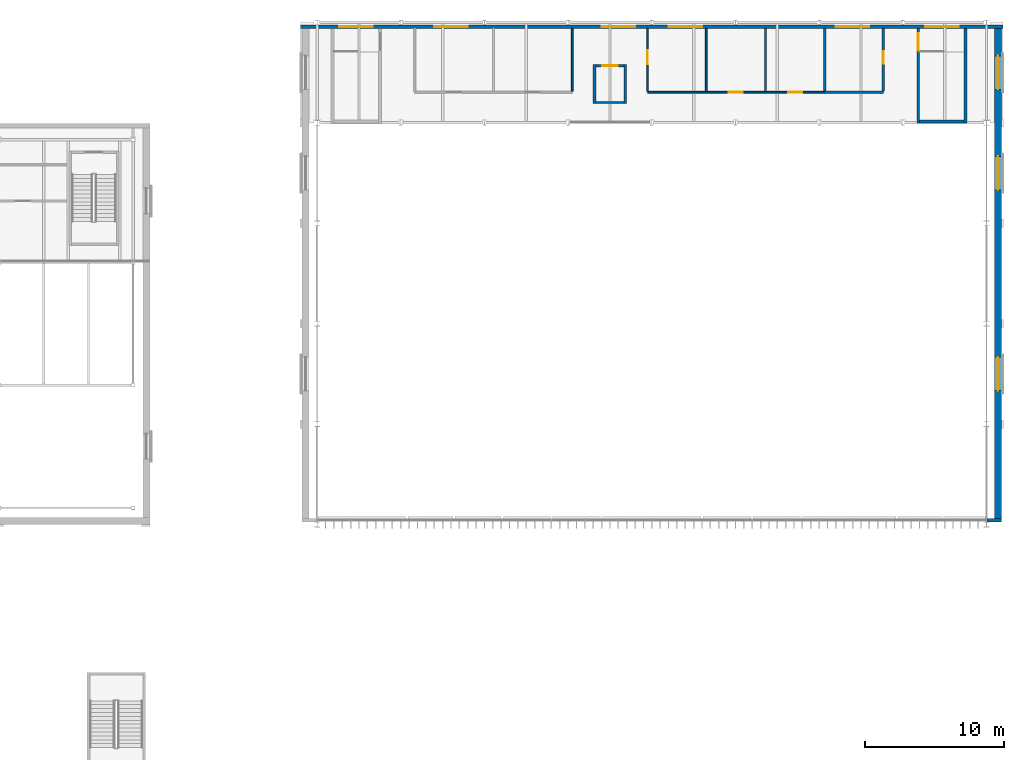
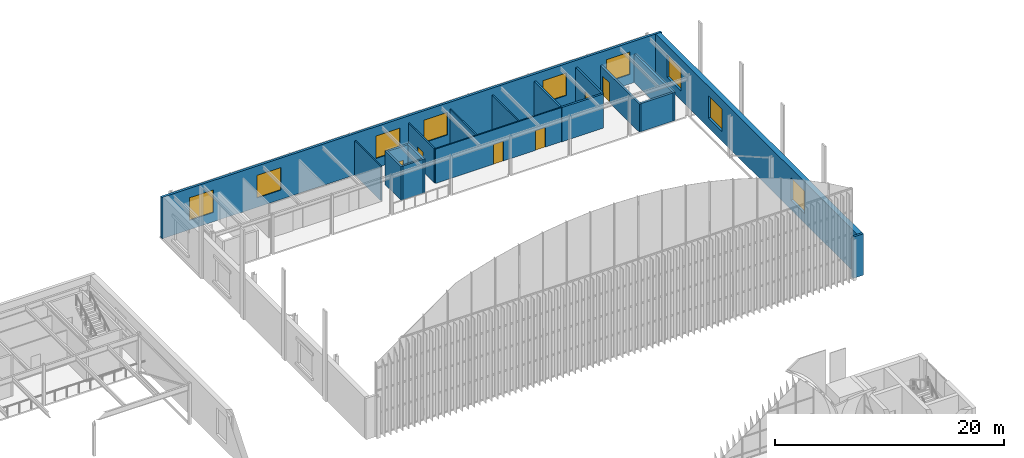
# One storey, part 104 of 169: 18 walls, 9 windows, 6 doors, 15 openings.
"""IFC4 building model written with IfcOpenShell, lengths in metres."""

from ifc_helpers import new_model, si_unit, direction, frame, frame_2d, origin, place, context, subcontext, project, spatial, rectangle, extrude, material, layer, layer_set, type_object, element, fill, save


model = new_model("IFC4")

# Units and contexts
model_context = context("Model", 3, precision=1e-05, world=origin(), true_north=direction((0.0, 1.0)))
body_context = subcontext(model_context, "Body", "Model", "MODEL_VIEW")
ifc_project = project(units=[si_unit("LENGTHUNIT", "METRE"), si_unit("AREAUNIT", "SQUARE_METRE"), si_unit("VOLUMEUNIT", "CUBIC_METRE"), si_unit("PLANEANGLEUNIT", "RADIAN"), si_unit("MASSUNIT", "GRAM", prefix="KILO")], contexts=[model_context])

# Site, building, storey
site_placement = place(None, origin())
site = spatial("IfcSite", under=ifc_project, at=site_placement, CompositionType="ELEMENT")
building_placement = place(site_placement, origin())
building = spatial("IfcBuilding", under=site, at=building_placement, Name="Verrick Yard Athletic Hall", CompositionType="ELEMENT")
storey_placement = place(building_placement, frame((0.0, 0.0, 4.39990234375)))
storey = spatial("IfcBuildingStorey", under=building, at=storey_placement, Name="L01", CompositionType="ELEMENT", Elevation=4.39990234375)

# Wall, opening, door
ifc_material_1 = material(Name="Concrete 35 MPa", Category="concrete")
ifc_layer_1 = layer(ifc_material_1, 0.199951171875)
ifc_layer_set_1 = layer_set([ifc_layer_1], Name="Enclosure wall CR200")
wall_type_1 = type_object("IfcWallType", Name="Enclosure wall CR200", PredefinedType="SOLIDWALL", material=ifc_layer_set_1)
wall_1_placement = place(storey_placement, frame((164.699951171875, 100.800048828125, 0.0), z_axis=(0.0, 0.0, 1.0), x_axis=(0.0, 1.0, 0.0)))
wall_1 = element("IfcWall", 1, at=wall_1_placement, inside=storey, type_object=wall_type_1, Name="CORE-HA-E-WW-L01", PredefinedType="SOLIDWALL", context=body_context, shape_type="SweptSolid", body=[
    extrude(rectangle(XDim=6.782958984375, YDim=0.199951171875, at=frame_2d((3.3916015625, 0.0))), origin(), (0.0, 0.0, 1.0), 3.0),
])
opening_1_placement = place(wall_1_placement, frame((5.22509765625, 0.0, 0.0)))
opening_1 = element("IfcOpeningElement", 2, at=opening_1_placement, cuts=wall_1, Name="Opening SD1", PredefinedType="OPENING", context=body_context, shape_type="SweptSolid", body=[
    extrude(rectangle(XDim=1.199951171875, YDim=2.10009765625, at=frame_2d((0.60009765625, 1.050048828125))), frame((0.0, 0.10986328125, 0.0), z_axis=(0.0, -1.0, 0.0), x_axis=(1.0, 0.0, 0.0)), (0.0, 0.0, 1.0), 0.219970703125),
])
ifc_material_2 = material(Name="Hollow metal door leaf")
door_type_1 = type_object("IfcDoorType", Name="Core door SD1 1200x2100", OperationType="NOTDEFINED", PredefinedType="DOOR", material=ifc_material_2)
door_1_placement = place(opening_1_placement, origin())
door_1 = element("IfcDoor", 3, at=door_1_placement, inside=storey, type_object=door_type_1, Name="CORE-HA-E-WW-L01-DSD1-10662", OperationType="SINGLE_SWING_RIGHT", OverallHeight=2.10009765625, OverallWidth=1.199951171875, PredefinedType="DOOR", context=body_context, shape_type="SweptSolid", body=[
    extrude(rectangle(XDim=1.199951171875, YDim=2.10009765625, at=frame_2d((0.60009765625, 1.050048828125))), frame((0.0, 0.02490234375, 0.0), z_axis=(0.0, -1.0, 0.0), x_axis=(1.0, 0.0, 0.0)), (0.0, 0.0, 1.0), 0.050048828125),
])
fill(opening_1, door_1)

# Walls
wall_2_placement = place(storey_placement, frame((168.10009765625, 100.800048828125, 0.0), z_axis=(0.0, 0.0, 1.0), x_axis=(0.0, 1.0, 0.0)))
element("IfcWall", 4, at=wall_2_placement, inside=storey, type_object=wall_type_1, Name="CORE-HA-E-WE-L01", PredefinedType="SOLIDWALL", context=body_context, shape_type="SweptSolid", body=[
    extrude(rectangle(XDim=6.782958984375, YDim=0.199951171875, at=frame_2d((3.3916015625, 0.0))), origin(), (0.0, 0.0, 1.0), 3.0),
])
wall_3_placement = place(storey_placement, frame((164.800048828125, 100.89990234375, 0.0), z_axis=(0.0, 0.0, 1.0), x_axis=(1.0, 0.0, 0.0)))
element("IfcWall", 5, at=wall_3_placement, inside=storey, type_object=wall_type_1, Name="CORE-HA-E-WS-L01", PredefinedType="SOLIDWALL", context=body_context, shape_type="SweptSolid", body=[
    extrude(rectangle(XDim=3.199951171875, YDim=0.199951171875, at=frame_2d((1.60009765625, 0.0))), origin(), (0.0, 0.0, 1.0), 3.0),
])
for number, where, z_axis, x_axis, name in (
    (6, (141.5, 102.199951171875, 0.0), (0.0, 0.0, 1.0), (0.0, 1.0, 0.0), "CORE-LF-HA-WW-L01"),
    (7, (143.699951171875, 102.199951171875, 0.0), (0.0, 0.0, 1.0), (0.0, 1.0, 0.0), "CORE-LF-HA-WE-L01"),
):
    element("IfcWall", number, at=place(storey_placement, frame(where, z_axis=z_axis, x_axis=x_axis)), inside=storey, type_object=wall_type_1, Name=name, PredefinedType="SOLIDWALL", context=body_context, shape_type="SweptSolid", body=[
        extrude(rectangle(XDim=2.800048828125, YDim=0.199951171875, at=frame_2d((1.39990234375, 0.0))), origin(), (0.0, 0.0, 1.0), 3.60009765625),
    ])

# Wall, opening, door
wall_4_placement = place(storey_placement, frame((141.60009765625, 104.89990234375, 0.0), z_axis=(0.0, 0.0, 1.0), x_axis=(1.0, 0.0, 0.0)))
wall_4 = element("IfcWall", 8, at=wall_4_placement, inside=storey, type_object=wall_type_1, Name="CORE-LF-HA-WN-L01", PredefinedType="SOLIDWALL", context=body_context, shape_type="SweptSolid", body=[
    extrude(rectangle(XDim=2.0, YDim=0.199951171875, at=frame_2d((1.0, 0.0))), origin(), (0.0, 0.0, 1.0), 3.60009765625),
])
opening_2_placement = place(wall_4_placement, frame((0.449951171875, 0.0, 0.0)))
opening_2 = element("IfcOpeningElement", 9, at=opening_2_placement, cuts=wall_4, Name="Opening LD", PredefinedType="OPENING", context=body_context, shape_type="SweptSolid", body=[
    extrude(rectangle(XDim=1.10009765625, YDim=2.10009765625, at=frame_2d((0.550048828125, 1.050048828125))), frame((0.0, 0.10986328125, 0.0), z_axis=(0.0, -1.0, 0.0), x_axis=(1.0, 0.0, 0.0)), (0.0, 0.0, 1.0), 0.219970703125),
])
ifc_material_3 = material(Name="Stainless steel landing door", Category="steel")
door_type_2 = type_object("IfcDoorType", Name="Lift landing door LD 1100x2100", OperationType="NOTDEFINED", PredefinedType="DOOR", material=ifc_material_3)
door_2_placement = place(opening_2_placement, origin())
door_2 = element("IfcDoor", 10, at=door_2_placement, inside=storey, type_object=door_type_2, Name="Lift landing door", OperationType="SLIDING_TO_LEFT", OverallHeight=2.10009765625, OverallWidth=1.10009765625, PredefinedType="DOOR", context=body_context, shape_type="SweptSolid", body=[
    extrude(rectangle(XDim=1.10009765625, YDim=2.10009765625, at=frame_2d((0.550048828125, 1.050048828125))), frame((0.0, 0.02490234375, 0.0), z_axis=(0.0, -1.0, 0.0), x_axis=(1.0, 0.0, 0.0)), (0.0, 0.0, 1.0), 0.050048828125),
])
fill(opening_2, door_2)

# Wall
ifc_material_4 = material(Name="Tyndall-stone-look precast cladding", Category="masonry")
ifc_layer_2 = layer(ifc_material_4, 0.0625, Name="Tyndall-stone-look precast cladding")
ifc_material_5 = material(Name="Mineral wool insulation")
ifc_layer_3 = layer(ifc_material_5, 0.0625, Name="Mineral wool insulation")
ifc_layer_4 = layer(ifc_material_1, 0.25, Name="Concrete 35 MPa")
ifc_layer_set_2 = layer_set([ifc_layer_2, ifc_layer_3, ifc_layer_4], Name="Gable base wall")
wall_type_2 = type_object("IfcWallType", Name="Gable base wall", PredefinedType="SOLIDWALL", material=ifc_layer_set_2)
wall_5_placement = place(storey_placement, frame((169.6298828125, 72.30126953125, 0.0), z_axis=(0.0, 0.0, 1.0), x_axis=(1.0, 0.0, 0.0)))
element("IfcWall", 11, at=wall_5_placement, inside=storey, type_object=wall_type_2, Name="ENVB-HAS-PIER-E-L01", PredefinedType="SOLIDWALL", context=body_context, shape_type="SweptSolid", body=[
    extrude(rectangle(XDim=1.045166015625, YDim=0.234375, at=frame_2d((0.5224609375, 0.0))), origin(), (0.0, 0.0, 1.0), 4.400146484375),
])

# Wall, openings, windows
wall_6_placement = place(storey_placement, frame((120.39990234375, 107.69873046875, 0.0), z_axis=(0.0, 0.0, 1.0), x_axis=(1.0, 0.0, 0.0)))
wall_6 = element("IfcWall", 12, at=wall_6_placement, inside=storey, type_object=wall_type_2, Name="ENVB-HA-N-L01", PredefinedType="SOLIDWALL", context=body_context, shape_type="SweptSolid", body=[
    extrude(rectangle(XDim=50.400146484375, YDim=0.234375, at=frame_2d((25.2001953125, 0.0))), origin(), (0.0, 0.0, 1.0), 4.400146484375),
])
opening_3_placement = place(wall_6_placement, frame((2.800048828125, 0.0, 1.0)))
opening_3 = element("IfcOpeningElement", 13, at=opening_3_placement, cuts=wall_6, Name="Opening W25", PredefinedType="OPENING", context=body_context, shape_type="SweptSolid", body=[
    extrude(rectangle(XDim=2.39990234375, YDim=2.39990234375, at=frame_2d((1.199951171875, 1.199951171875))), frame((0.0, 0.127197265625, 0.0), z_axis=(0.0, -1.0, 0.0), x_axis=(1.0, 0.0, 0.0)), (0.0, 0.0, 1.0), 0.25439453125),
])
opening_4_placement = place(wall_6_placement, frame((9.60009765625, 0.0, 1.0)))
opening_4 = element("IfcOpeningElement", 14, at=opening_4_placement, cuts=wall_6, Name="Opening W25", PredefinedType="OPENING", context=body_context, shape_type="SweptSolid", body=[
    extrude(rectangle(XDim=2.39990234375, YDim=2.39990234375, at=frame_2d((1.199951171875, 1.199951171875))), frame((0.0, 0.127197265625, 0.0), z_axis=(0.0, -1.0, 0.0), x_axis=(1.0, 0.0, 0.0)), (0.0, 0.0, 1.0), 0.25439453125),
])
opening_5_placement = place(wall_6_placement, frame((21.60009765625, 0.0, 1.0)))
opening_5 = element("IfcOpeningElement", 15, at=opening_5_placement, cuts=wall_6, Name="Opening W25", PredefinedType="OPENING", context=body_context, shape_type="SweptSolid", body=[
    extrude(rectangle(XDim=2.39990234375, YDim=2.39990234375, at=frame_2d((1.199951171875, 1.199951171875))), frame((0.0, 0.127197265625, 0.0), z_axis=(0.0, -1.0, 0.0), x_axis=(1.0, 0.0, 0.0)), (0.0, 0.0, 1.0), 0.25439453125),
])
opening_6_placement = place(wall_6_placement, frame((26.39990234375, 0.0, 1.0)))
opening_6 = element("IfcOpeningElement", 16, at=opening_6_placement, cuts=wall_6, Name="Opening W25", PredefinedType="OPENING", context=body_context, shape_type="SweptSolid", body=[
    extrude(rectangle(XDim=2.39990234375, YDim=2.39990234375, at=frame_2d((1.199951171875, 1.199951171875))), frame((0.0, 0.127197265625, 0.0), z_axis=(0.0, -1.0, 0.0), x_axis=(1.0, 0.0, 0.0)), (0.0, 0.0, 1.0), 0.25439453125),
])
opening_7_placement = place(wall_6_placement, frame((38.39990234375, 0.0, 1.0)))
opening_7 = element("IfcOpeningElement", 17, at=opening_7_placement, cuts=wall_6, Name="Opening W25", PredefinedType="OPENING", context=body_context, shape_type="SweptSolid", body=[
    extrude(rectangle(XDim=2.39990234375, YDim=2.39990234375, at=frame_2d((1.199951171875, 1.199951171875))), frame((0.0, 0.127197265625, 0.0), z_axis=(0.0, -1.0, 0.0), x_axis=(1.0, 0.0, 0.0)), (0.0, 0.0, 1.0), 0.25439453125),
])
opening_8_placement = place(wall_6_placement, frame((44.800048828125, 0.0, 1.0)))
opening_8 = element("IfcOpeningElement", 18, at=opening_8_placement, cuts=wall_6, Name="Opening W25", PredefinedType="OPENING", context=body_context, shape_type="SweptSolid", body=[
    extrude(rectangle(XDim=2.39990234375, YDim=2.39990234375, at=frame_2d((1.199951171875, 1.199951171875))), frame((0.0, 0.127197265625, 0.0), z_axis=(0.0, -1.0, 0.0), x_axis=(1.0, 0.0, 0.0)), (0.0, 0.0, 1.0), 0.25439453125),
])
ifc_material_6 = material(Name="Anodised aluminium frame with insulated glazing", Category="aluminium")
window_type = type_object("IfcWindowType", Name="Hall window 2400x2400", PartitioningType="NOTDEFINED", PredefinedType="WINDOW", material=ifc_material_6)
window_1_placement = place(opening_3_placement, origin())
window_1 = element("IfcWindow", 19, at=window_1_placement, inside=storey, type_object=window_type, Name="ENVB-HA-N-L01-W1", OverallHeight=2.39990234375, OverallWidth=2.39990234375, PartitioningType="SINGLE_PANEL", PredefinedType="WINDOW", context=body_context, shape_type="SweptSolid", body=[
    extrude(rectangle(XDim=2.39990234375, YDim=2.39990234375, at=frame_2d((1.199951171875, 1.199951171875))), frame((0.0, 0.030029296875, 0.0), z_axis=(0.0, -1.0, 0.0), x_axis=(1.0, 0.0, 0.0)), (0.0, 0.0, 1.0), 0.06005859375),
])
fill(opening_3, window_1)
window_2_placement = place(opening_4_placement, origin())
window_2 = element("IfcWindow", 20, at=window_2_placement, inside=storey, type_object=window_type, Name="ENVB-HA-N-L01-W2", OverallHeight=2.39990234375, OverallWidth=2.39990234375, PartitioningType="SINGLE_PANEL", PredefinedType="WINDOW", context=body_context, shape_type="SweptSolid", body=[
    extrude(rectangle(XDim=2.39990234375, YDim=2.39990234375, at=frame_2d((1.199951171875, 1.199951171875))), frame((0.0, 0.030029296875, 0.0), z_axis=(0.0, -1.0, 0.0), x_axis=(1.0, 0.0, 0.0)), (0.0, 0.0, 1.0), 0.06005859375),
])
fill(opening_4, window_2)
window_3_placement = place(opening_5_placement, origin())
window_3 = element("IfcWindow", 21, at=window_3_placement, inside=storey, type_object=window_type, Name="ENVB-HA-N-L01-W3", OverallHeight=2.39990234375, OverallWidth=2.39990234375, PartitioningType="SINGLE_PANEL", PredefinedType="WINDOW", context=body_context, shape_type="SweptSolid", body=[
    extrude(rectangle(XDim=2.39990234375, YDim=2.39990234375, at=frame_2d((1.199951171875, 1.199951171875))), frame((0.0, 0.030029296875, 0.0), z_axis=(0.0, -1.0, 0.0), x_axis=(1.0, 0.0, 0.0)), (0.0, 0.0, 1.0), 0.06005859375),
])
fill(opening_5, window_3)
window_4_placement = place(opening_6_placement, origin())
window_4 = element("IfcWindow", 22, at=window_4_placement, inside=storey, type_object=window_type, Name="ENVB-HA-N-L01-W4", OverallHeight=2.39990234375, OverallWidth=2.39990234375, PartitioningType="SINGLE_PANEL", PredefinedType="WINDOW", context=body_context, shape_type="SweptSolid", body=[
    extrude(rectangle(XDim=2.39990234375, YDim=2.39990234375, at=frame_2d((1.199951171875, 1.199951171875))), frame((0.0, 0.030029296875, 0.0), z_axis=(0.0, -1.0, 0.0), x_axis=(1.0, 0.0, 0.0)), (0.0, 0.0, 1.0), 0.06005859375),
])
fill(opening_6, window_4)
window_5_placement = place(opening_7_placement, origin())
window_5 = element("IfcWindow", 23, at=window_5_placement, inside=storey, type_object=window_type, Name="ENVB-HA-N-L01-W5", OverallHeight=2.39990234375, OverallWidth=2.39990234375, PartitioningType="SINGLE_PANEL", PredefinedType="WINDOW", context=body_context, shape_type="SweptSolid", body=[
    extrude(rectangle(XDim=2.39990234375, YDim=2.39990234375, at=frame_2d((1.199951171875, 1.199951171875))), frame((0.0, 0.030029296875, 0.0), z_axis=(0.0, -1.0, 0.0), x_axis=(1.0, 0.0, 0.0)), (0.0, 0.0, 1.0), 0.06005859375),
])
fill(opening_7, window_5)
window_6_placement = place(opening_8_placement, origin())
window_6 = element("IfcWindow", 24, at=window_6_placement, inside=storey, type_object=window_type, Name="ENVB-HA-N-L01-W6", OverallHeight=2.39990234375, OverallWidth=2.39990234375, PartitioningType="SINGLE_PANEL", PredefinedType="WINDOW", context=body_context, shape_type="SweptSolid", body=[
    extrude(rectangle(XDim=2.39990234375, YDim=2.39990234375, at=frame_2d((1.199951171875, 1.199951171875))), frame((0.0, 0.030029296875, 0.0), z_axis=(0.0, -1.0, 0.0), x_axis=(1.0, 0.0, 0.0)), (0.0, 0.0, 1.0), 0.06005859375),
])
fill(opening_8, window_6)

ifc_material_7 = material(Name="Through-coloured mineral render, warm white")
ifc_layer_5 = layer(ifc_material_7, 0.125, Name="Through-coloured mineral render, warm white")
ifc_layer_6 = layer(ifc_material_5, 0.125, Name="Mineral wool insulation")
ifc_layer_7 = layer(ifc_material_1, 0.25, Name="Concrete 35 MPa")
ifc_layer_set_3 = layer_set([ifc_layer_5, ifc_layer_6, ifc_layer_7], Name="Hall upper wall")
wall_type_3 = type_object("IfcWallType", Name="Hall upper wall", PredefinedType="SOLIDWALL", material=ifc_layer_set_3)
wall_7_placement = place(storey_placement, frame((170.425048828125, 72.41845703125, 0.0), z_axis=(0.0, 0.0, 1.0), x_axis=(0.0, 1.0, 0.0)))
wall_7 = element("IfcWall", 25, at=wall_7_placement, inside=storey, type_object=wall_type_3, Name="ENVB-HA-E-L01", PredefinedType="SOLIDWALL", context=body_context, shape_type="SweptSolid", body=[
    extrude(rectangle(XDim=35.1630859375, YDim=0.5, at=frame_2d((17.58154296875, 0.0))), origin(), (0.0, 0.0, 1.0), 4.400146484375),
])
opening_9_placement = place(wall_7_placement, frame((9.1826171875, 0.0, 1.0)))
opening_9 = element("IfcOpeningElement", 26, at=opening_9_placement, cuts=wall_7, Name="Opening W25", PredefinedType="OPENING", context=body_context, shape_type="SweptSolid", body=[
    extrude(rectangle(XDim=2.39990234375, YDim=2.39990234375, at=frame_2d((1.199951171875, 1.199951171875))), frame((0.0, 0.260009765625, 0.0), z_axis=(0.0, -1.0, 0.0), x_axis=(1.0, 0.0, 0.0)), (0.0, 0.0, 1.0), 0.52001953125),
])
opening_10_placement = place(wall_7_placement, frame((23.58251953125, 0.0, 1.0)))
opening_10 = element("IfcOpeningElement", 27, at=opening_10_placement, cuts=wall_7, Name="Opening W25", PredefinedType="OPENING", context=body_context, shape_type="SweptSolid", body=[
    extrude(rectangle(XDim=2.39990234375, YDim=2.39990234375, at=frame_2d((1.199951171875, 1.199951171875))), frame((0.0, 0.260009765625, 0.0), z_axis=(0.0, -1.0, 0.0), x_axis=(1.0, 0.0, 0.0)), (0.0, 0.0, 1.0), 0.52001953125),
])
opening_11_placement = place(wall_7_placement, frame((30.782470703125, 0.0, 1.0)))
opening_11 = element("IfcOpeningElement", 28, at=opening_11_placement, cuts=wall_7, Name="Opening W25", PredefinedType="OPENING", context=body_context, shape_type="SweptSolid", body=[
    extrude(rectangle(XDim=2.39990234375, YDim=2.39990234375, at=frame_2d((1.199951171875, 1.199951171875))), frame((0.0, 0.260009765625, 0.0), z_axis=(0.0, -1.0, 0.0), x_axis=(1.0, 0.0, 0.0)), (0.0, 0.0, 1.0), 0.52001953125),
])
window_7_placement = place(opening_9_placement, origin())
window_7 = element("IfcWindow", 29, at=window_7_placement, inside=storey, type_object=window_type, Name="ENVB-HA-E-L01-W2", OverallHeight=2.39990234375, OverallWidth=2.39990234375, PartitioningType="SINGLE_PANEL", PredefinedType="WINDOW", context=body_context, shape_type="SweptSolid", body=[
    extrude(rectangle(XDim=2.39990234375, YDim=2.39990234375, at=frame_2d((1.199951171875, 1.199951171875))), frame((0.0, 0.030029296875, 0.0), z_axis=(0.0, -1.0, 0.0), x_axis=(1.0, 0.0, 0.0)), (0.0, 0.0, 1.0), 0.06005859375),
])
fill(opening_9, window_7)
window_8_placement = place(opening_10_placement, origin())
window_8 = element("IfcWindow", 30, at=window_8_placement, inside=storey, type_object=window_type, Name="ENVB-HA-E-L01-W4", OverallHeight=2.39990234375, OverallWidth=2.39990234375, PartitioningType="SINGLE_PANEL", PredefinedType="WINDOW", context=body_context, shape_type="SweptSolid", body=[
    extrude(rectangle(XDim=2.39990234375, YDim=2.39990234375, at=frame_2d((1.199951171875, 1.199951171875))), frame((0.0, 0.030029296875, 0.0), z_axis=(0.0, -1.0, 0.0), x_axis=(1.0, 0.0, 0.0)), (0.0, 0.0, 1.0), 0.06005859375),
])
fill(opening_10, window_8)
window_9_placement = place(opening_11_placement, origin())
window_9 = element("IfcWindow", 31, at=window_9_placement, inside=storey, type_object=window_type, Name="ENVB-HA-E-L01-W5", OverallHeight=2.39990234375, OverallWidth=2.39990234375, PartitioningType="SINGLE_PANEL", PredefinedType="WINDOW", context=body_context, shape_type="SweptSolid", body=[
    extrude(rectangle(XDim=2.39990234375, YDim=2.39990234375, at=frame_2d((1.199951171875, 1.199951171875))), frame((0.0, 0.030029296875, 0.0), z_axis=(0.0, -1.0, 0.0), x_axis=(1.0, 0.0, 0.0)), (0.0, 0.0, 1.0), 0.06005859375),
])
fill(opening_11, window_9)

# Walls
ifc_material_8 = material(Name="Concrete masonry block 15 MPa", Category="masonry")
ifc_layer_8 = layer(ifc_material_8, 0.199951171875)
ifc_layer_set_4 = layer_set([ifc_layer_8], Name="PW1 Block partition 200")
wall_type_4 = type_object("IfcWallType", Name="PW1 Block partition 200", PredefinedType="PARTITIONING", material=ifc_layer_set_4)
wall_8_placement = place(storey_placement, frame((158.0, 103.0, 0.0), z_axis=(0.0, 0.0, 1.0), x_axis=(1.0, 0.0, 0.0)))
element("IfcWall", 32, at=wall_8_placement, inside=storey, type_object=wall_type_4, Name="Partition PW1", PredefinedType="PARTITIONING", context=body_context, shape_type="SweptSolid", body=[
    extrude(rectangle(XDim=4.199951171875, YDim=0.199951171875, at=frame_2d((2.10009765625, 0.0))), origin(), (0.0, 0.0, 1.0), 3.650146484375),
])
wall_9_placement = place(storey_placement, frame((158.0, 103.10009765625, 0.0), z_axis=(0.0, 0.0, 1.0), x_axis=(0.0, 1.0, 0.0)))
element("IfcWall", 33, at=wall_9_placement, inside=storey, type_object=wall_type_4, Name="Partition PW1", PredefinedType="PARTITIONING", context=body_context, shape_type="SweptSolid", body=[
    extrude(rectangle(XDim=4.491455078125, YDim=0.199951171875, at=frame_2d((2.24560546875, 0.0))), origin(), (0.0, 0.0, 1.0), 3.650146484375),
])

# Wall, opening, door
wall_10_placement = place(storey_placement, frame((162.199951171875, 103.10009765625, 0.0), z_axis=(0.0, 0.0, 1.0), x_axis=(0.0, 1.0, 0.0)))
wall_10 = element("IfcWall", 34, at=wall_10_placement, inside=storey, type_object=wall_type_4, Name="Partition PW1", PredefinedType="PARTITIONING", context=body_context, shape_type="SweptSolid", body=[
    extrude(rectangle(XDim=4.491455078125, YDim=0.199951171875, at=frame_2d((2.24560546875, 0.0))), origin(), (0.0, 0.0, 1.0), 3.650146484375),
])
opening_12_placement = place(wall_10_placement, frame((1.949951171875, 0.0, 0.0)))
opening_12 = element("IfcOpeningElement", 35, at=opening_12_placement, cuts=wall_10, Name="Opening D2", PredefinedType="OPENING", context=body_context, shape_type="SweptSolid", body=[
    extrude(rectangle(XDim=0.89990234375, YDim=2.10009765625, at=frame_2d((0.449951171875, 1.050048828125))), frame((0.0, 0.10986328125, 0.0), z_axis=(0.0, -1.0, 0.0), x_axis=(1.0, 0.0, 0.0)), (0.0, 0.0, 1.0), 0.219970703125),
])
ifc_material_9 = material(Name="Timber door leaf in steel frame", Category="steel")
door_type_3 = type_object("IfcDoorType", Name="D2 Single door 900 x 2100", OperationType="NOTDEFINED", PredefinedType="DOOR", material=ifc_material_9)
door_3_placement = place(opening_12_placement, origin())
door_3 = element("IfcDoor", 36, at=door_3_placement, inside=storey, type_object=door_type_3, Name="D2 Spare Equipment Store A", OperationType="SINGLE_SWING_LEFT", OverallHeight=2.10009765625, OverallWidth=0.89990234375, PredefinedType="DOOR", context=body_context, shape_type="SweptSolid", body=[
    extrude(rectangle(XDim=0.89990234375, YDim=2.10009765625, at=frame_2d((0.449951171875, 1.050048828125))), frame((0.0, 0.02490234375, 0.0), z_axis=(0.0, -1.0, 0.0), x_axis=(1.0, 0.0, 0.0)), (0.0, 0.0, 1.0), 0.050048828125),
])
fill(opening_12, door_3)

# Wall, openings, doors
ifc_material_10 = material(Name="Gypsum plasterboard on light-gauge studs")
ifc_layer_9 = layer(ifc_material_10, 0.125)
ifc_layer_set_5 = layer_set([ifc_layer_9], Name="PW2 Stud partition 125")
wall_type_5 = type_object("IfcWallType", Name="PW2 Stud partition 125", PredefinedType="PARTITIONING", material=ifc_layer_set_5)
wall_11_placement = place(storey_placement, frame((145.300048828125, 103.0, 0.0), z_axis=(0.0, 0.0, 1.0), x_axis=(1.0, 0.0, 0.0)))
wall_11 = element("IfcWall", 37, at=wall_11_placement, inside=storey, type_object=wall_type_5, Name="Partition PW2", PredefinedType="PARTITIONING", context=body_context, shape_type="SweptSolid", body=[
    extrude(rectangle(XDim=12.699951171875, YDim=0.125, at=frame_2d((6.35009765625, 0.0))), origin(), (0.0, 0.0, 1.0), 3.650146484375),
])
opening_13_placement = place(wall_11_placement, frame((5.824951171875, 0.0, 0.0)))
opening_13 = element("IfcOpeningElement", 38, at=opening_13_placement, cuts=wall_11, Name="Opening D1", PredefinedType="OPENING", context=body_context, shape_type="SweptSolid", body=[
    extrude(rectangle(XDim=1.0, YDim=2.10009765625, at=frame_2d((0.5, 1.050048828125))), frame((0.0, 0.072509765625, 0.0), z_axis=(0.0, -1.0, 0.0), x_axis=(1.0, 0.0, 0.0)), (0.0, 0.0, 1.0), 0.14501953125),
])
opening_14_placement = place(wall_11_placement, frame((10.074951171875, 0.0, 0.0)))
opening_14 = element("IfcOpeningElement", 39, at=opening_14_placement, cuts=wall_11, Name="Opening D1", PredefinedType="OPENING", context=body_context, shape_type="SweptSolid", body=[
    extrude(rectangle(XDim=1.0, YDim=2.10009765625, at=frame_2d((0.5, 1.050048828125))), frame((0.0, 0.072509765625, 0.0), z_axis=(0.0, -1.0, 0.0), x_axis=(1.0, 0.0, 0.0)), (0.0, 0.0, 1.0), 0.14501953125),
])
door_type_4 = type_object("IfcDoorType", Name="D1 Single door 1000 x 2100", OperationType="NOTDEFINED", PredefinedType="DOOR", material=ifc_material_9)
door_4_placement = place(opening_13_placement, origin())
door_4 = element("IfcDoor", 40, at=door_4_placement, inside=storey, type_object=door_type_4, Name="D1 Medical Room A", OperationType="SINGLE_SWING_LEFT", OverallHeight=2.10009765625, OverallWidth=1.0, PredefinedType="DOOR", context=body_context, shape_type="SweptSolid", body=[
    extrude(rectangle(XDim=1.0, YDim=2.10009765625, at=frame_2d((0.5, 1.050048828125))), frame((0.0, 0.02490234375, 0.0), z_axis=(0.0, -1.0, 0.0), x_axis=(1.0, 0.0, 0.0)), (0.0, 0.0, 1.0), 0.050048828125),
])
fill(opening_13, door_4)
door_5_placement = place(opening_14_placement, origin())
door_5 = element("IfcDoor", 41, at=door_5_placement, inside=storey, type_object=door_type_4, Name="D1 Physiotherapy Room A", OperationType="SINGLE_SWING_LEFT", OverallHeight=2.10009765625, OverallWidth=1.0, PredefinedType="DOOR", context=body_context, shape_type="SweptSolid", body=[
    extrude(rectangle(XDim=1.0, YDim=2.10009765625, at=frame_2d((0.5, 1.050048828125))), frame((0.0, 0.02490234375, 0.0), z_axis=(0.0, -1.0, 0.0), x_axis=(1.0, 0.0, 0.0)), (0.0, 0.0, 1.0), 0.050048828125),
])
fill(opening_14, door_5)

# Wall
wall_12_placement = place(storey_placement, frame((139.89990234375, 103.0625, 0.0), z_axis=(0.0, 0.0, 1.0), x_axis=(0.0, 1.0, 0.0)))
element("IfcWall", 42, at=wall_12_placement, inside=storey, type_object=wall_type_5, Name="Partition PW2", PredefinedType="PARTITIONING", context=body_context, shape_type="SweptSolid", body=[
    extrude(rectangle(XDim=4.529052734375, YDim=0.125, at=frame_2d((2.2646484375, 0.0))), origin(), (0.0, 0.0, 1.0), 3.650146484375),
])

# Wall, opening, door
wall_13_placement = place(storey_placement, frame((145.300048828125, 103.0625, 0.0), z_axis=(0.0, 0.0, 1.0), x_axis=(0.0, 1.0, 0.0)))
wall_13 = element("IfcWall", 43, at=wall_13_placement, inside=storey, type_object=wall_type_5, Name="Partition PW2", PredefinedType="PARTITIONING", context=body_context, shape_type="SweptSolid", body=[
    extrude(rectangle(XDim=4.529052734375, YDim=0.125, at=frame_2d((2.2646484375, 0.0))), origin(), (0.0, 0.0, 1.0), 3.650146484375),
])
opening_15_placement = place(wall_13_placement, frame((1.93798828125, 0.0, 0.0)))
opening_15 = element("IfcOpeningElement", 44, at=opening_15_placement, cuts=wall_13, Name="Opening D1", PredefinedType="OPENING", context=body_context, shape_type="SweptSolid", body=[
    extrude(rectangle(XDim=1.0, YDim=2.10009765625, at=frame_2d((0.5, 1.050048828125))), frame((0.0, 0.072509765625, 0.0), z_axis=(0.0, -1.0, 0.0), x_axis=(1.0, 0.0, 0.0)), (0.0, 0.0, 1.0), 0.14501953125),
])
door_6_placement = place(opening_15_placement, origin())
door_6 = element("IfcDoor", 45, at=door_6_placement, inside=storey, type_object=door_type_4, Name="D1 Hall Control Room A", OperationType="SINGLE_SWING_LEFT", OverallHeight=2.10009765625, OverallWidth=1.0, PredefinedType="DOOR", context=body_context, shape_type="SweptSolid", body=[
    extrude(rectangle(XDim=1.0, YDim=2.10009765625, at=frame_2d((0.5, 1.050048828125))), frame((0.0, 0.02490234375, 0.0), z_axis=(0.0, -1.0, 0.0), x_axis=(1.0, 0.0, 0.0)), (0.0, 0.0, 1.0), 0.050048828125),
])
fill(opening_15, door_6)

# Walls
for number, where, z_axis, x_axis, name in (
    (46, (149.5, 103.0625, 0.0), (0.0, 0.0, 1.0), (0.0, 1.0, 0.0), "Partition PW2"),
    (47, (153.75, 103.0625, 0.0), (0.0, 0.0, 1.0), (0.0, 1.0, 0.0), "Partition PW2"),
):
    element("IfcWall", number, at=place(storey_placement, frame(where, z_axis=z_axis, x_axis=x_axis)), inside=storey, type_object=wall_type_5, Name=name, PredefinedType="PARTITIONING", context=body_context, shape_type="SweptSolid", body=[
        extrude(rectangle(XDim=4.529052734375, YDim=0.125, at=frame_2d((2.2646484375, 0.0))), origin(), (0.0, 0.0, 1.0), 3.650146484375),
    ])
ifc_layer_10 = layer(ifc_material_1, 0.14990234375)
ifc_layer_set_6 = layer_set([ifc_layer_10], Name="Shaft wall CR150")
wall_type_6 = type_object("IfcWallType", Name="Shaft wall CR150", PredefinedType="SOLIDWALL", material=ifc_layer_set_6)
wall_14_placement = place(storey_placement, frame((141.60009765625, 102.27490234375, 0.0), z_axis=(0.0, 0.0, 1.0), x_axis=(1.0, 0.0, 0.0)))
element("IfcWall", 48, at=wall_14_placement, inside=storey, type_object=wall_type_6, Name="CORE-LF-HA-WS-L01", PredefinedType="SOLIDWALL", context=body_context, shape_type="SweptSolid", body=[
    extrude(rectangle(XDim=2.0, YDim=0.14990234375, at=frame_2d((1.0, 0.0))), origin(), (0.0, 0.0, 1.0), 3.60009765625),
])

save(model, "model.ifc")
